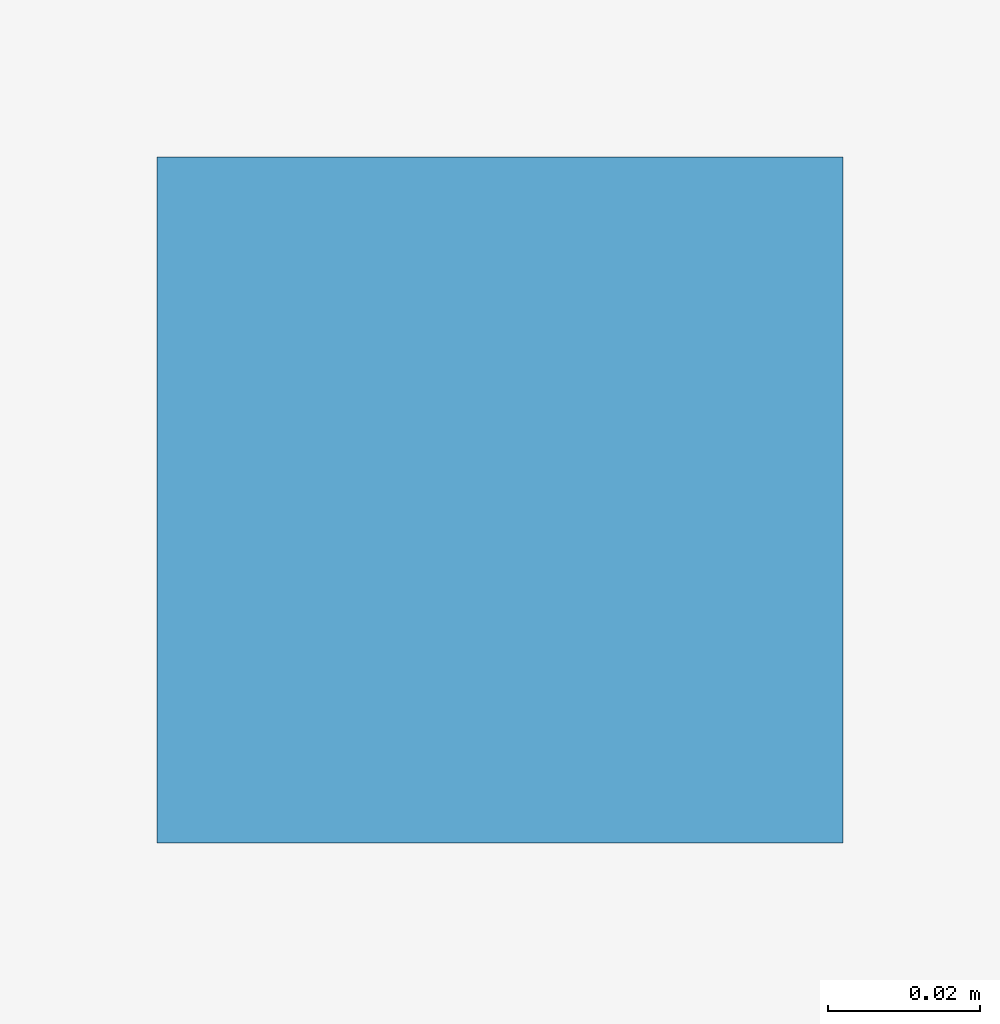
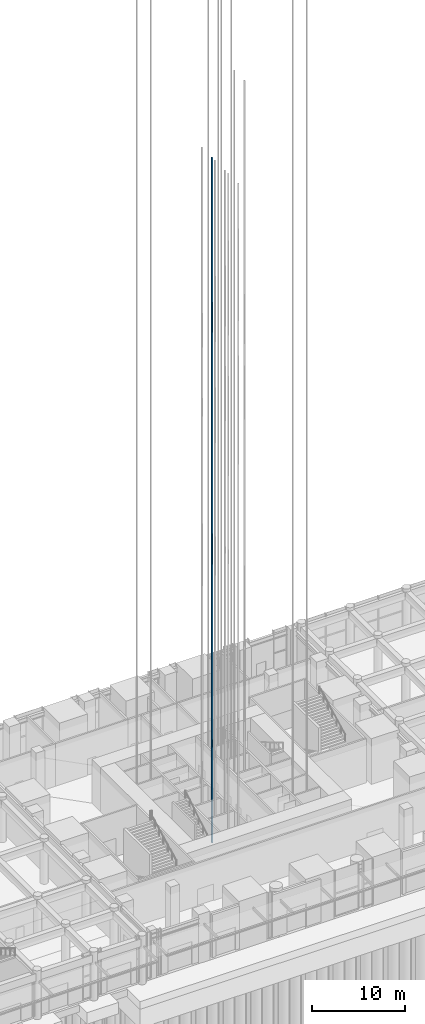
# One storey, part 31 of 46: 1 discrete accessory.
"""IFC4 building model written with IfcOpenShell, lengths in metres."""

from ifc_helpers import new_model, si_unit, direction, frame, origin, origin_2d, place, context, subcontext, project, spatial, rectangle, extrude, element, save


model = new_model("IFC4")

# Units and contexts
model_context = context("Model", 3, precision=1e-05, world=origin(), true_north=direction((0.0, 1.0)))
body_context = subcontext(model_context, "Body", "Model", "MODEL_VIEW")
ifc_project = project(units=[si_unit("LENGTHUNIT", "METRE"), si_unit("AREAUNIT", "SQUARE_METRE"), si_unit("VOLUMEUNIT", "CUBIC_METRE"), si_unit("PLANEANGLEUNIT", "RADIAN"), si_unit("MASSUNIT", "GRAM", prefix="KILO")], contexts=[model_context])

# Site, building, storey
site_placement = place(None, origin())
site = spatial("IfcSite", under=ifc_project, at=site_placement, CompositionType="ELEMENT")
building_placement = place(site_placement, origin())
building = spatial("IfcBuilding", under=site, at=building_placement, Name="Svetlomir Tower", CompositionType="ELEMENT")
storey_placement = place(building_placement, origin())
storey = spatial("IfcBuildingStorey", under=building, at=storey_placement, Name="L00", CompositionType="ELEMENT", Elevation=0.0)

# Discrete accessory
discrete_accessory_placement = place(storey_placement, frame((18.300048828125, 18.425048828125, 0.0), z_axis=(0.0, 0.0, 1.0), x_axis=(1.0, 0.0, 0.0)))
element("IfcDiscreteAccessory", 1, at=discrete_accessory_placement, inside=storey, Name="Lift LA3 guide rail 1", ObjectType="LIFT GUIDE RAIL", PredefinedType="USERDEFINED", context=body_context, shape_type="SweptSolid", body=[
    extrude(rectangle(XDim=0.090087890625, YDim=0.090087890625, at=origin_2d()), origin(), (0.0, 0.0, 1.0), 89.699951171875),
])

save(model, "model.ifc")
